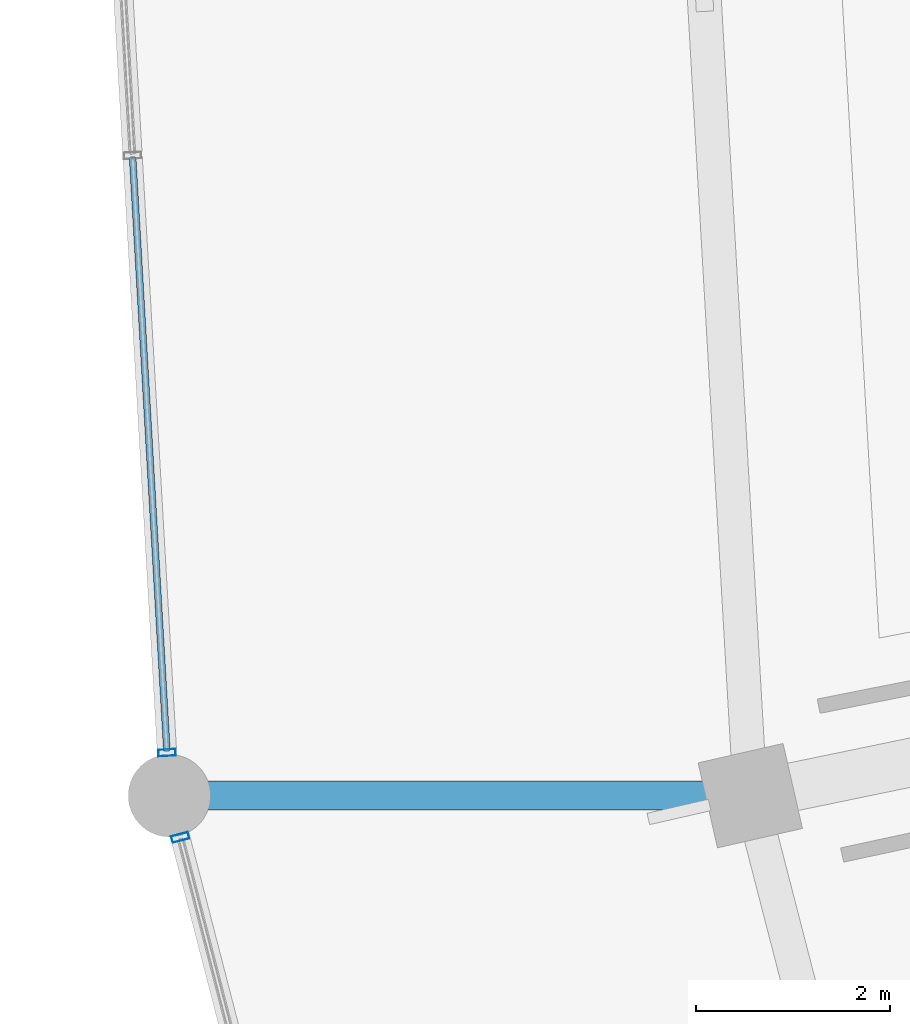
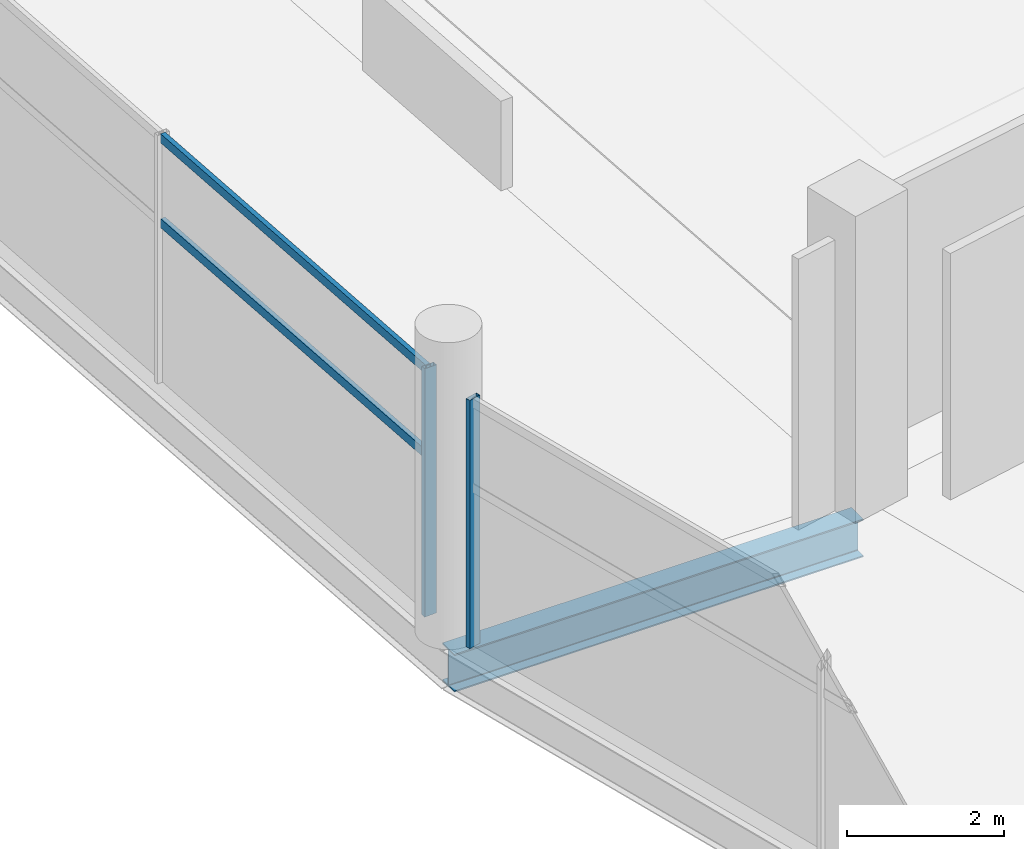
# One storey, part 25 of 156: 4 members, 1 beam, 2 elements without a shape of their own.
"""IFC4 building model written with IfcOpenShell, lengths in metres."""

from ifc_helpers import new_model, si_unit, direction, frame, origin, origin_2d, place, context, subcontext, project, spatial, hollow_rectangle, i_section, extrude, material, layer, layer_set, material_profile, profile_set, type_object, element, aggregate, save


model = new_model("IFC4")

# Units and contexts
model_context = context("Model", 3, precision=1e-05, world=origin(), true_north=direction((0.0, 1.0)))
body_context = subcontext(model_context, "Body", "Model", "MODEL_VIEW")
ifc_project = project(units=[si_unit("LENGTHUNIT", "METRE"), si_unit("AREAUNIT", "SQUARE_METRE"), si_unit("VOLUMEUNIT", "CUBIC_METRE"), si_unit("PLANEANGLEUNIT", "RADIAN"), si_unit("MASSUNIT", "GRAM", prefix="KILO")], contexts=[model_context])

# Site, building, storey
site_placement = place(None, origin())
site = spatial("IfcSite", under=ifc_project, at=site_placement, CompositionType="ELEMENT")
building_placement = place(site_placement, origin())
building = spatial("IfcBuilding", under=site, at=building_placement, Name="Kazemori Nagisa Stadium", CompositionType="ELEMENT")
storey_placement = place(building_placement, frame((0.0, 0.0, 5.780029296875)))
storey = spatial("IfcBuildingStorey", under=building, at=storey_placement, Name="L01", CompositionType="ELEMENT", Elevation=5.780029296875)

# Beam
ifc_material_1 = material(Name="Steel SN490B", Category="steel")
ifc_material_profile_1 = material_profile(ifc_material_1, i_section(OverallWidth=0.300048828125, OverallDepth=0.587890625, WebThickness=0.011962890625, FlangeThickness=0.02001953125, FilletRadius=0.012939453125, at=origin_2d()), Name="H-588x300x12x20")
ifc_profile_set_1 = profile_set([ifc_material_profile_1], Name="Steel SN490B")
beam_type = type_object("IfcBeamType", Name="Beam_BG-H588", PredefinedType="BEAM", material=ifc_profile_set_1)
beam_placement = place(storey_placement, frame((29.119140625, 82.602294921875, -0.573974609375), z_axis=(-1.0, 0.0, 0.0), x_axis=(0.0, -1.0, 0.0)))
element("IfcBeam", 1, at=beam_placement, inside=storey, type_object=beam_type, Name="Boulevard radial girder BG-H588 L01 R4-16", PredefinedType="BEAM", context=body_context, shape_type="SweptSolid", body=[
    extrude(i_section(OverallWidth=0.300048828125, OverallDepth=0.587890625, WebThickness=0.011962890625, FlangeThickness=0.02001953125, FilletRadius=0.012939453125, at=origin_2d()), origin(), (0.0, 0.0, 1.0), 6.0),
])

# Curtain wall, member
ifc_material_2 = material(Name="Anodised aluminium 6063-T5", Category="aluminium")
ifc_layer_1 = layer(ifc_material_2, 0.179931640625, Name="Anodised aluminium 6063-T5", Category="aluminium")
ifc_layer_set_1 = layer_set([ifc_layer_1], Name="Anodised aluminium 6063-T5")
curtain_wall_type_1 = type_object("IfcCurtainWallType", Name="CW_L01R3_93", PredefinedType="USERDEFINED", material=ifc_layer_set_1)
curtain_wall_1_placement = place(storey_placement, origin())
curtain_wall_1 = element("IfcCurtainWall", 2, at=curtain_wall_1_placement, inside=storey, type_object=curtain_wall_type_1, Name="Unitised curtain wall CW-L01R3-93 L01", ObjectType="UNITISED CURTAIN WALL", PredefinedType="USERDEFINED")
ifc_material_3 = material(Name="Aluminium 6063-T5 anodised", Category="aluminium")
ifc_material_profile_2 = material_profile(ifc_material_3, hollow_rectangle(XDim=0.070068359375, YDim=0.179931640625, WallThickness=0.00390625, at=origin_2d()), Name="ALU-MULL-70x180x4")
ifc_profile_set_2 = profile_set([ifc_material_profile_2], Name="Aluminium 6063-T5 anodised")
member_type_1 = type_object("IfcMemberType", Name="Mullion_M01", PredefinedType="MULLION", material=ifc_profile_set_2)
member_1_placement = place(storey_placement, frame((23.093505859375, 83.046630859375, 0.0), z_axis=(0.0, 0.0, 1.0), x_axis=(0.057601670941, -0.998339645364, 0.0)))
member_1 = element("IfcMember", 3, at=member_1_placement, type_object=member_type_1, Name="Curtain wall mullion CW-L01R3-93-M4", PredefinedType="MULLION", context=body_context, shape_type="SweptSolid", body=[
    extrude(hollow_rectangle(XDim=0.070068359375, YDim=0.179931640625, WallThickness=0.00390625, at=origin_2d()), origin(), (0.0, 0.0, 1.0), 3.849853515625),
])

ifc_layer_2 = layer(ifc_material_2, 0.179931640625, Name="Anodised aluminium 6063-T5", Category="aluminium")
ifc_layer_set_2 = layer_set([ifc_layer_2], Name="Anodised aluminium 6063-T5")
curtain_wall_type_2 = type_object("IfcCurtainWallType", Name="CW_L01R3_96", PredefinedType="USERDEFINED", material=ifc_layer_set_2)
curtain_wall_2_placement = place(storey_placement, origin())
curtain_wall_2 = element("IfcCurtainWall", 4, at=curtain_wall_2_placement, inside=storey, type_object=curtain_wall_type_2, Name="Unitised curtain wall CW-L01R3-96 L01", ObjectType="UNITISED CURTAIN WALL", PredefinedType="USERDEFINED")
member_2_placement = place(storey_placement, frame((23.23046875, 82.17138671875, 0.0), z_axis=(0.0, 0.0, 1.0), x_axis=(0.249964642418, -0.968254965152, 0.0)))
member_2 = element("IfcMember", 5, at=member_2_placement, type_object=member_type_1, Name="Curtain wall mullion CW-L01R3-96-M1", PredefinedType="MULLION", context=body_context, shape_type="SweptSolid", body=[
    extrude(hollow_rectangle(XDim=0.070068359375, YDim=0.179931640625, WallThickness=0.00390625, at=origin_2d()), origin(), (0.0, 0.0, 1.0), 3.849853515625),
])
aggregate(curtain_wall_2, [member_2])

# Member
ifc_material_profile_3 = material_profile(ifc_material_3, hollow_rectangle(XDim=0.070068359375, YDim=0.139892578125, WallThickness=0.00390625, at=origin_2d()), Name="ALU-TRAN-70x140x4")
ifc_profile_set_3 = profile_set([ifc_material_profile_3], Name="Aluminium 6063-T5 anodised")
member_type_2 = type_object("IfcMemberType", Name="Transom_T01", PredefinedType="USERDEFINED", material=ifc_profile_set_3)
member_3_placement = place(storey_placement, frame((22.73876953125, 89.1962890625, 2.4638671875), z_axis=(0.057617112955, -0.998338754279, 0.0), x_axis=(0.998338754279, 0.057617112955, 0.0)))
member_3 = element("IfcMember", 6, at=member_3_placement, type_object=member_type_2, Name="Curtain wall transom CW-L01R3-93-T3-mid", ObjectType="TRANSOM", PredefinedType="USERDEFINED", context=body_context, shape_type="SweptSolid", body=[
    extrude(hollow_rectangle(XDim=0.070068359375, YDim=0.139892578125, WallThickness=0.00390625, at=origin_2d()), origin(), (0.0, 0.0, 1.0), 6.139892578125),
])

member_4_placement = place(storey_placement, frame((22.73876953125, 89.1962890625, 3.780029296875), z_axis=(0.057617112955, -0.998338754279, 0.0), x_axis=(0.998338754279, 0.057617112955, 0.0)))
member_4 = element("IfcMember", 7, at=member_4_placement, type_object=member_type_2, Name="Curtain wall transom CW-L01R3-93-T3-head", ObjectType="TRANSOM", PredefinedType="USERDEFINED", context=body_context, shape_type="SweptSolid", body=[
    extrude(hollow_rectangle(XDim=0.070068359375, YDim=0.139892578125, WallThickness=0.00390625, at=origin_2d()), origin(), (0.0, 0.0, 1.0), 6.139892578125),
])

aggregate(curtain_wall_1, [member_1, member_3, member_4])

save(model, "model.ifc")
